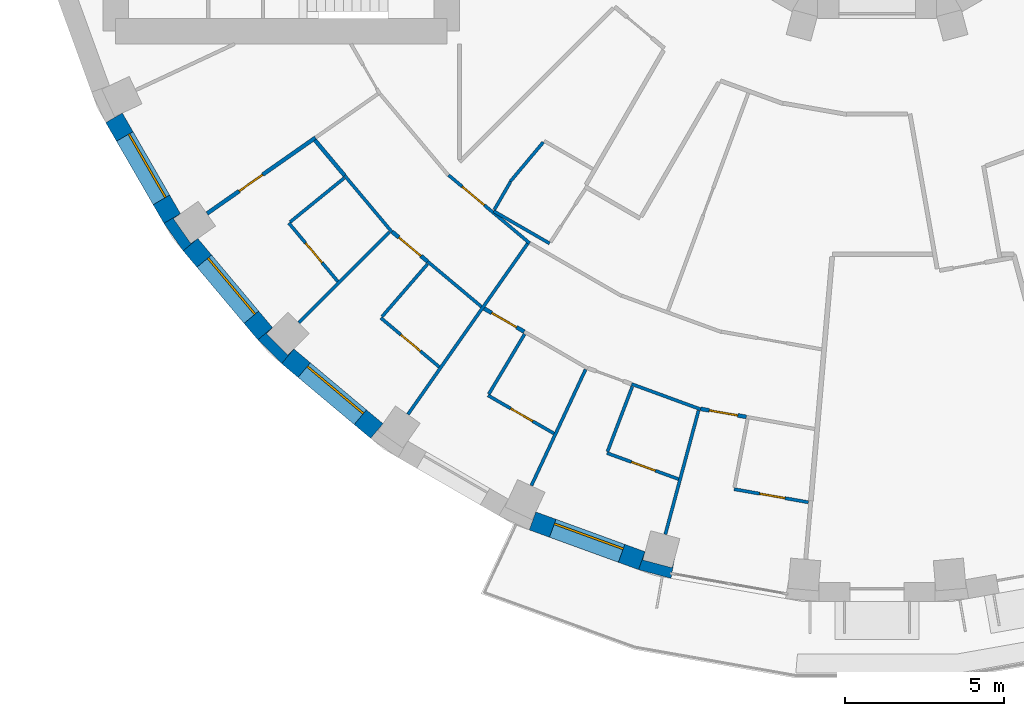
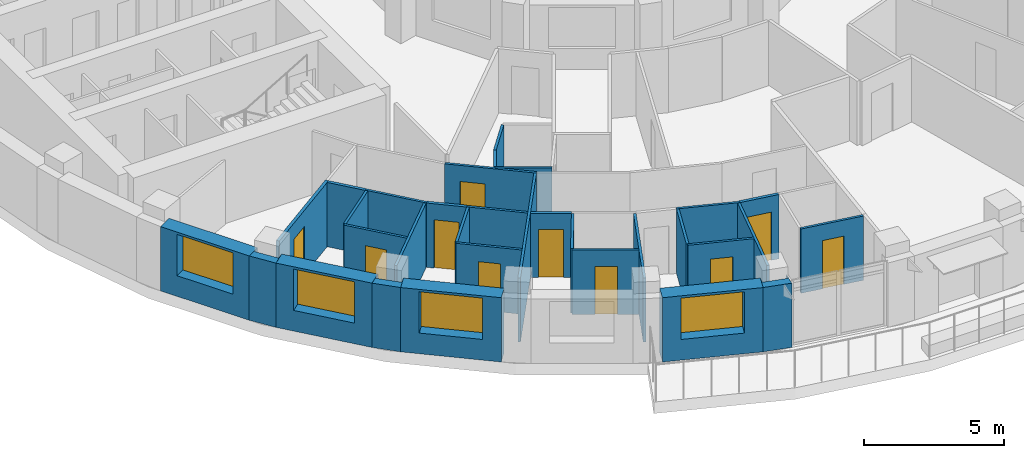
# One storey, part 5 of 16: 32 walls, 10 doors, 4 windows, 14 openings.
"""IFC4 building model written with IfcOpenShell, lengths in metres."""

import ifcopenshell
import ifcopenshell.guid

model = None  # the IFC model being written
_history = None  # IfcOwnerHistory: only IFC2X3 demands one
_inside = {}  # id of a spatial element -> (the spatial element, [elements in it])
_under = {}  # id of a project, library or spatial element -> (it, [spatial elements below it])
_declared = {}  # id of a project -> (the project, [libraries it declares])
_typed = {}  # id of a type object -> (the type object, [elements of that type])
_made_of = {}  # id of a material, layer set ... -> (it, [elements and type objects made of it])


def new_model(schema):
    """Start an empty IFC model of exactly this schema.

    Asked for "IFC4X3", IfcOpenShell would pick the latest addendum, in which some entities
    have other attributes; the version numbers below select the first issue.
    IFC2X3 requires an IfcOwnerHistory on every rooted entity: one is made here for all.
    """
    global model, _history
    if schema == "IFC4X3":
        model = ifcopenshell.file(schema_version=(4, 3, 0, 0))
    else:
        model = ifcopenshell.file(schema=schema)
    _inside.clear()
    _under.clear()
    _declared.clear()
    _typed.clear()
    _made_of.clear()
    _history = None
    if model.schema == "IFC2X3":
        org = make("IfcOrganization", Name="unknown")
        user = make(
            "IfcPersonAndOrganization",
            ThePerson=make("IfcPerson", FamilyName="unknown"),
            TheOrganization=org,
        )
        app = make(
            "IfcApplication",
            ApplicationDeveloper=org,
            Version="unknown",
            ApplicationFullName="unknown",
            ApplicationIdentifier="unknown",
        )
        _history = make(
            "IfcOwnerHistory",
            OwningUser=user,
            OwningApplication=app,
            ChangeAction="ADDED",
            CreationDate=0,
        )
    return model


def make(cls, **values):
    """One entity of the class cls with the attributes given. An attribute that is None is left unset."""
    return model.create_entity(
        cls, **{name: value for name, value in values.items() if value is not None}
    )


def rooted(cls, **values):
    """An entity with a GlobalId (a new one), such as an element, a storey or a relation."""
    return make(cls, GlobalId=ifcopenshell.guid.new(), OwnerHistory=_history, **values)


def si_unit(unit_type, name, prefix=None):
    """IfcSIUnit, for example si_unit("LENGTHUNIT", "METRE", prefix="MILLI")."""
    return make("IfcSIUnit", UnitType=unit_type, Prefix=prefix, Name=name)


def assignment(units):
    """IfcUnitAssignment: the units of a project."""
    return None if units is None else make("IfcUnitAssignment", Units=units)


def point(xyz):
    """IfcCartesianPoint."""
    return None if xyz is None else make("IfcCartesianPoint", Coordinates=xyz)


def direction(xyz):
    """IfcDirection."""
    return None if xyz is None else make("IfcDirection", DirectionRatios=xyz)


def frame(location, z_axis=None, x_axis=None):
    """IfcAxis2Placement3D, a coordinate frame: its origin and axes. An axis left out is left unset."""
    return make(
        "IfcAxis2Placement3D",
        Location=point(location),
        Axis=direction(z_axis),
        RefDirection=direction(x_axis),
    )


def frame_2d(location, x_axis=None):
    """IfcAxis2Placement2D, a coordinate frame in the plane: its origin and x axis."""
    return make(
        "IfcAxis2Placement2D", Location=point(location), RefDirection=direction(x_axis)
    )


def origin():
    """The frame at (0, 0, 0) with its axes left unset."""
    return frame((0.0, 0.0, 0.0))


def place(relative_to, where):
    """IfcLocalPlacement: puts the frame where relative to a parent placement (None: the world)."""
    return make(
        "IfcLocalPlacement", PlacementRelTo=relative_to, RelativePlacement=where
    )


def context(
    kind, dimensions, precision=None, world=None, true_north=None, identifier=None
):
    """IfcGeometricRepresentationContext, for example the 3D "Model" context."""
    return make(
        "IfcGeometricRepresentationContext",
        ContextIdentifier=identifier,
        ContextType=kind,
        CoordinateSpaceDimension=dimensions,
        Precision=precision,
        WorldCoordinateSystem=world,
        TrueNorth=true_north,
    )


def subcontext(parent, identifier, kind, view, scale=None):
    """IfcGeometricRepresentationSubContext, for example "Body" below "Model"."""
    return make(
        "IfcGeometricRepresentationSubContext",
        ContextIdentifier=identifier,
        ContextType=kind,
        ParentContext=parent,
        TargetScale=scale,
        TargetView=view,
    )


def project(units=None, contexts=None):
    """IfcProject with its units and contexts."""
    return rooted(
        "IfcProject",
        Name="project",
        RepresentationContexts=contexts,
        UnitsInContext=assignment(units),
    )


def spatial(cls, under=None, at=None, **own):
    """A site, building, storey or space (cls), placed at a placement, below another one or the project."""
    s = rooted(cls, ObjectPlacement=at, **own)
    if under is not None:
        _under.setdefault(under.id(), (under, []))[1].append(s)
    return s


def polyline(points):
    """IfcPolyline through the points."""
    return make("IfcPolyline", Points=[point(p) for p in points])


def profile(cls, at=None, kind="AREA", **sizes):
    """A parametric profile (cls). Its sizes go by their IFC names, for example OverallWidth=200.0."""
    return make(cls, ProfileType=kind, Position=at, **sizes)


def rectangle(**sizes):
    """IfcRectangleProfileDef."""
    return profile("IfcRectangleProfileDef", **sizes)


def outline(outer, holes=None, kind="AREA"):
    """IfcArbitraryClosedProfileDef: a profile drawn as a closed curve; with holes, ...WithVoids."""
    if holes is None:
        return make("IfcArbitraryClosedProfileDef", ProfileType=kind, OuterCurve=outer)
    return make(
        "IfcArbitraryProfileDefWithVoids",
        ProfileType=kind,
        OuterCurve=outer,
        InnerCurves=holes,
    )


def extrude(swept, where, along, depth):
    """IfcExtrudedAreaSolid: the profile swept, set in the frame where, extruded along a direction by depth."""
    return make(
        "IfcExtrudedAreaSolid",
        SweptArea=swept,
        Position=where,
        ExtrudedDirection=direction(along),
        Depth=depth,
    )


def shape(context_of_items, identifier, shape_type, items):
    """IfcShapeRepresentation: the items that make up one representation, for example the "Body"."""
    return make(
        "IfcShapeRepresentation",
        ContextOfItems=context_of_items,
        RepresentationIdentifier=identifier,
        RepresentationType=shape_type,
        Items=items,
    )


def material(Name=None, Category=None):
    """IfcMaterial."""
    return make("IfcMaterial", Name=Name, Category=Category)


def layer(
    of_material, thickness, ventilated=None, Name=None, Category=None, Priority=None
):
    """IfcMaterialLayer: one layer of a wall or slab, of a material (None: an air gap)."""
    return make(
        "IfcMaterialLayer",
        Material=of_material,
        LayerThickness=thickness,
        IsVentilated=ventilated,
        Name=Name,
        Category=Category,
        Priority=Priority,
    )


def layer_set(layers, Name=None):
    """IfcMaterialLayerSet."""
    return make("IfcMaterialLayerSet", MaterialLayers=layers, LayerSetName=Name)


def made_of(thing, what):
    """Note that an element or type object is made of a material, layer set ...; save() writes the relation."""
    if what is not None:
        _made_of.setdefault(what.id(), (what, []))[1].append(thing)
    return thing


def type_object(cls, material=None, **own):
    """A type object (cls), such as IfcWallType, which elements share."""
    return made_of(rooted(cls, **own), material)


def element(
    cls,
    number,
    at=None,
    inside=None,
    cuts=None,
    type_object=None,
    material=None,
    context=None,
    identifier="Body",
    shape_type=None,
    held_by="IfcProductDefinitionShape",
    body=None,
    shapes=None,
    **own,
):
    """One element of the class cls, such as IfcWall. Its Tag is "e" and its number.

    at: its placement. inside: the storey or other place that contains it. cuts: it is an
    opening in that element (IfcRelVoidsElement). A single representation is given by context,
    identifier, shape_type and body (its items); several are given by shapes. held_by: the class
    of the entity that holds the representations. save() writes the other relations.
    """
    e = rooted(cls, Tag="e%d" % number, ObjectPlacement=at, **own)
    if body is not None:
        shapes = [shape(context, identifier, shape_type, body)]
    if shapes is not None:
        e.Representation = make(held_by, Representations=shapes)
    if inside is not None:
        _inside.setdefault(inside.id(), (inside, []))[1].append(e)
    if cuts is not None:
        rooted(
            "IfcRelVoidsElement", RelatingBuildingElement=cuts, RelatedOpeningElement=e
        )
    if type_object is not None:
        _typed.setdefault(type_object.id(), (type_object, []))[1].append(e)
    return made_of(e, material)


def fill(opening, filler):
    """IfcRelFillsElement: the door or window that sits in an opening."""
    return rooted(
        "IfcRelFillsElement",
        RelatingOpeningElement=opening,
        RelatedBuildingElement=filler,
    )


def aggregate(whole, parts):
    """IfcRelAggregates: a whole, such as a stair, and the parts it consists of."""
    return rooted("IfcRelAggregates", RelatingObject=whole, RelatedObjects=parts)


def save(model, path):
    """Write the relations noted so far, then the file.

    IfcRelAggregates (storeys below a building ...), IfcRelContainedInSpatialStructure (elements
    in a storey), IfcRelDefinesByType, IfcRelAssociatesMaterial and IfcRelDeclares: one each for
    every whole, place, type object, material and project.
    """
    for whole, parts in _under.values():
        aggregate(whole, parts)
    for where, things in _inside.values():
        rooted(
            "IfcRelContainedInSpatialStructure",
            RelatedElements=things,
            RelatingStructure=where,
        )
    for kind, things in _typed.values():
        rooted("IfcRelDefinesByType", RelatedObjects=things, RelatingType=kind)
    for what, things in _made_of.values():
        rooted("IfcRelAssociatesMaterial", RelatedObjects=things, RelatingMaterial=what)
    for by, libraries in _declared.values():
        rooted("IfcRelDeclares", RelatingContext=by, RelatedDefinitions=libraries)
    model.write(path)


model = new_model("IFC4")

# Units and contexts
model_context = context("Model", 3, precision=1e-05, world=origin(), true_north=direction((0.0, 1.0)))
body_context = subcontext(model_context, "Body", "Model", "MODEL_VIEW")
ifc_project = project(units=[si_unit("LENGTHUNIT", "METRE"), si_unit("AREAUNIT", "SQUARE_METRE"), si_unit("VOLUMEUNIT", "CUBIC_METRE"), si_unit("PLANEANGLEUNIT", "RADIAN"), si_unit("MASSUNIT", "GRAM", prefix="KILO")], contexts=[model_context])

# Site, building, storey
site_placement = place(None, origin())
site = spatial("IfcSite", under=ifc_project, at=site_placement, CompositionType="ELEMENT")
building_placement = place(site_placement, origin())
building = spatial("IfcBuilding", under=site, at=building_placement, Name="Saqina Gate Tower", CompositionType="ELEMENT")
storey_placement = place(building_placement, frame((0.0, 0.0, 144.699951171875)))
storey = spatial("IfcBuildingStorey", under=building, at=storey_placement, Name="L41", CompositionType="ELEMENT", Elevation=144.699951171875)

# Walls
ifc_material_1 = material(Name="Brick masonry (buff)", Category="masonry")
wall_type_1 = type_object("IfcWallType", Name="BRICK PIER COPING BUFF", PredefinedType="SOLIDWALL", material=ifc_material_1)
wall_1_placement = place(storey_placement, origin())
element("IfcWall", 1, at=wall_1_placement, inside=storey, type_object=wall_type_1, Name="Pier cap L41 column 22", PredefinedType="SOLIDWALL", context=body_context, shape_type="SweptSolid", body=[
    extrude(outline(polyline([(-21.77685546875, -15.89208984375), (-21.317138671875, -15.50634765625), (-21.53759765625, -15.66064453125), (-22.08251953125, -14.88232421875), (-21.862060546875, -14.728271484375), (-22.3818359375, -15.0283203125), (-21.77685546875, -15.89208984375)])), origin(), (0.0, 0.0, 1.0), 2.800048828125),
])
wall_2_placement = place(storey_placement, origin())
element("IfcWall", 2, at=wall_2_placement, inside=storey, type_object=wall_type_1, Name="Pier cap L41 column 23", PredefinedType="SOLIDWALL", context=body_context, shape_type="SweptSolid", body=[
    extrude(outline(polyline([(-19.43212890625, -18.686279296875), (-18.686279296875, -19.43212890625), (-18.30078125, -18.972412109375), (-18.49072265625, -19.16259765625), (-19.16259765625, -18.49072265625), (-18.972412109375, -18.30078125), (-19.43212890625, -18.686279296875)])), origin(), (0.0, 0.0, 1.0), 2.800048828125),
])
wall_3_placement = place(storey_placement, origin())
element("IfcWall", 3, at=wall_3_placement, inside=storey, type_object=wall_type_1, Name="Pier cap L41 column 26", PredefinedType="SOLIDWALL", context=body_context, shape_type="SweptSolid", body=[
    extrude(outline(polyline([(-7.485595703125, -25.89892578125), (-6.466796875, -26.171875), (-6.36279296875, -25.5810546875), (-6.43212890625, -25.8408203125), (-7.349853515625, -25.5947265625), (-7.2802734375, -25.335205078125), (-7.485595703125, -25.89892578125)])), origin(), (0.0, 0.0, 1.0), 2.800048828125),
])

# Wall, opening, window
ifc_material_2 = material(Name="Brick masonry (buff)", Category="masonry")
ifc_layer_1 = layer(ifc_material_2, 0.60009765625)
ifc_layer_set_1 = layer_set([ifc_layer_1], Name="FW-BRICK-BUFF")
wall_type_2 = type_object("IfcWallType", Name="FW-BRICK-BUFF", PredefinedType="SOLIDWALL", material=ifc_layer_set_1)
wall_4_placement = place(storey_placement, frame((-23.94580078125, -11.718994140625, 0.0), z_axis=(0.0, 0.0, 1.0), x_axis=(0.499954196102, -0.866051847062, 0.0)))
wall_4 = element("IfcWall", 4, at=wall_4_placement, inside=storey, type_object=wall_type_2, Name="Facade wall L41 facet 21", PredefinedType="SOLIDWALL", context=body_context, shape_type="SweptSolid", body=[
    extrude(rectangle(XDim=3.647705078125, YDim=0.60009765625, at=frame_2d((1.82373046875, 0.0))), origin(), (0.0, 0.0, 1.0), 2.800048828125),
])
opening_1_placement = place(wall_4_placement, frame((0.673828125, 0.0, 0.89990234375)))
opening_1 = element("IfcOpeningElement", 5, at=opening_1_placement, cuts=wall_4, Name="Opening G12-W14", PredefinedType="OPENING", context=body_context, shape_type="SweptSolid", body=[
    extrude(rectangle(XDim=2.300048828125, YDim=1.800048828125, at=frame_2d((1.14990234375, 0.89990234375))), frame((0.0, 0.31201171875, 0.0), z_axis=(0.0, -1.0, 0.0), x_axis=(1.0, 0.0, 0.0)), (0.0, 0.0, 1.0), 0.6240234375),
])
ifc_material_3 = material(Name="Aluminium glazing", Category="aluminium")
window_type = type_object("IfcWindowType", Name="WN-B", PartitioningType="SINGLE_PANEL", PredefinedType="WINDOW", material=ifc_material_3)
window_1_placement = place(opening_1_placement, origin())
window_1 = element("IfcWindow", 6, at=window_1_placement, inside=storey, type_object=window_type, Name="Window L41 facet 21", OverallHeight=1.800048828125, OverallWidth=2.300048828125, PartitioningType="SINGLE_PANEL", PredefinedType="WINDOW", context=body_context, shape_type="SweptSolid", body=[
    extrude(rectangle(XDim=2.300048828125, YDim=1.800048828125, at=frame_2d((1.14990234375, 0.89990234375))), frame((0.0, 0.179931640625, 0.0), z_axis=(0.0, -1.0, 0.0), x_axis=(1.0, 0.0, 0.0)), (0.0, 0.0, 1.0), 0.06005859375),
])
fill(opening_1, window_1)

wall_5_placement = place(storey_placement, frame((-21.547119140625, -15.69921875, 0.0), z_axis=(0.0, 0.0, 1.0), x_axis=(0.642774476932, -0.766055462616, 0.0)))
wall_5 = element("IfcWall", 7, at=wall_5_placement, inside=storey, type_object=wall_type_2, Name="Facade wall L41 facet 22", PredefinedType="SOLIDWALL", context=body_context, shape_type="SweptSolid", body=[
    extrude(rectangle(XDim=3.647705078125, YDim=0.60009765625, at=frame_2d((1.82373046875, 0.0))), origin(), (0.0, 0.0, 1.0), 2.800048828125),
])
opening_2_placement = place(wall_5_placement, frame((0.673828125, 0.0, 0.89990234375)))
opening_2 = element("IfcOpeningElement", 8, at=opening_2_placement, cuts=wall_5, Name="Opening G12-W15", PredefinedType="OPENING", context=body_context, shape_type="SweptSolid", body=[
    extrude(rectangle(XDim=2.300048828125, YDim=1.800048828125, at=frame_2d((1.14990234375, 0.89990234375))), frame((0.0, 0.31201171875, 0.0), z_axis=(0.0, -1.0, 0.0), x_axis=(1.0, 0.0, 0.0)), (0.0, 0.0, 1.0), 0.6240234375),
])
window_2_placement = place(opening_2_placement, origin())
window_2 = element("IfcWindow", 9, at=window_2_placement, inside=storey, type_object=window_type, Name="Window L41 facet 22", OverallHeight=1.800048828125, OverallWidth=2.300048828125, PartitioningType="SINGLE_PANEL", PredefinedType="WINDOW", context=body_context, shape_type="SweptSolid", body=[
    extrude(rectangle(XDim=2.300048828125, YDim=1.800048828125, at=frame_2d((1.14990234375, 0.89990234375))), frame((0.0, 0.179931640625, 0.0), z_axis=(0.0, -1.0, 0.0), x_axis=(1.0, 0.0, 0.0)), (0.0, 0.0, 1.0), 0.06005859375),
])
fill(opening_2, window_2)

wall_6_placement = place(storey_placement, frame((-18.49365234375, -19.202392578125, 0.0), z_axis=(0.0, 0.0, 1.0), x_axis=(0.766055462616, -0.642774476932, 0.0)))
wall_6 = element("IfcWall", 10, at=wall_6_placement, inside=storey, type_object=wall_type_2, Name="Facade wall L41 facet 23", PredefinedType="SOLIDWALL", context=body_context, shape_type="SweptSolid", body=[
    extrude(rectangle(XDim=3.647705078125, YDim=0.60009765625, at=frame_2d((1.82373046875, 0.0))), origin(), (0.0, 0.0, 1.0), 2.800048828125),
])
opening_3_placement = place(wall_6_placement, frame((0.673828125, 0.0, 0.89990234375)))
opening_3 = element("IfcOpeningElement", 11, at=opening_3_placement, cuts=wall_6, Name="Opening G12-W16", PredefinedType="OPENING", context=body_context, shape_type="SweptSolid", body=[
    extrude(rectangle(XDim=2.300048828125, YDim=1.800048828125, at=frame_2d((1.14990234375, 0.89990234375))), frame((0.0, 0.31201171875, 0.0), z_axis=(0.0, -1.0, 0.0), x_axis=(1.0, 0.0, 0.0)), (0.0, 0.0, 1.0), 0.6240234375),
])
window_3_placement = place(opening_3_placement, origin())
window_3 = element("IfcWindow", 12, at=window_3_placement, inside=storey, type_object=window_type, Name="Window L41 facet 23", OverallHeight=1.800048828125, OverallWidth=2.300048828125, PartitioningType="SINGLE_PANEL", PredefinedType="WINDOW", context=body_context, shape_type="SweptSolid", body=[
    extrude(rectangle(XDim=2.300048828125, YDim=1.800048828125, at=frame_2d((1.14990234375, 0.89990234375))), frame((0.0, 0.179931640625, 0.0), z_axis=(0.0, -1.0, 0.0), x_axis=(1.0, 0.0, 0.0)), (0.0, 0.0, 1.0), 0.06005859375),
])
fill(opening_3, window_3)

wall_7_placement = place(storey_placement, frame((-10.810791015625, -24.369384765625, 0.0), z_axis=(0.0, 0.0, 1.0), x_axis=(0.939703505393, -0.341990236633, 0.0)))
wall_7 = element("IfcWall", 13, at=wall_7_placement, inside=storey, type_object=wall_type_2, Name="Facade wall L41 facet 25", PredefinedType="SOLIDWALL", context=body_context, shape_type="SweptSolid", body=[
    extrude(rectangle(XDim=3.64794921875, YDim=0.60009765625, at=frame_2d((1.823974609375, 0.0))), origin(), (0.0, 0.0, 1.0), 2.800048828125),
])
opening_4_placement = place(wall_7_placement, frame((0.673828125, 0.0, 0.89990234375)))
opening_4 = element("IfcOpeningElement", 14, at=opening_4_placement, cuts=wall_7, Name="Opening G12-W18", PredefinedType="OPENING", context=body_context, shape_type="SweptSolid", body=[
    extrude(rectangle(XDim=2.300048828125, YDim=1.800048828125, at=frame_2d((1.14990234375, 0.89990234375))), frame((0.0, 0.31201171875, 0.0), z_axis=(0.0, -1.0, 0.0), x_axis=(1.0, 0.0, 0.0)), (0.0, 0.0, 1.0), 0.6240234375),
])
window_4_placement = place(opening_4_placement, origin())
window_4 = element("IfcWindow", 15, at=window_4_placement, inside=storey, type_object=window_type, Name="Window L41 facet 25", OverallHeight=1.800048828125, OverallWidth=2.300048828125, PartitioningType="SINGLE_PANEL", PredefinedType="WINDOW", context=body_context, shape_type="SweptSolid", body=[
    extrude(rectangle(XDim=2.300048828125, YDim=1.800048828125, at=frame_2d((1.14990234375, 0.89990234375))), frame((0.0, 0.179931640625, 0.0), z_axis=(0.0, -1.0, 0.0), x_axis=(1.0, 0.0, 0.0)), (0.0, 0.0, 1.0), 0.06005859375),
])
fill(opening_4, window_4)

# Wall, opening, door
ifc_material_4 = material(Name="Gypsum board on steel studs, 100 mm", Category="steel")
ifc_layer_2 = layer(ifc_material_4, 0.10009765625)
ifc_layer_set_2 = layer_set([ifc_layer_2], Name="PARTITION 100")
wall_type_3 = type_object("IfcWallType", Name="PARTITION 100", PredefinedType="PARTITIONING", material=ifc_layer_set_2)
wall_8_placement = place(storey_placement, frame((-18.4599609375, -15.02197265625, 0.0), z_axis=(0.0, 0.0, 1.0), x_axis=(0.642942941421, -0.765914077477, 0.0)))
wall_8 = element("IfcWall", 16, at=wall_8_placement, inside=storey, type_object=wall_type_3, Name="PARTITION PW3-16", PredefinedType="PARTITIONING", context=body_context, shape_type="SweptSolid", body=[
    extrude(rectangle(XDim=2.390380859375, YDim=0.10009765625, at=frame_2d((1.1953125, 0.0))), origin(), (0.0, 0.0, 1.0), 2.800048828125),
])
opening_5_placement = place(wall_8_placement, frame((0.820068359375, 0.0, 0.0)))
opening_5 = element("IfcOpeningElement", 17, at=opening_5_placement, cuts=wall_8, Name="Opening G12-D34", PredefinedType="OPENING", context=body_context, shape_type="SweptSolid", body=[
    extrude(rectangle(XDim=0.800048828125, YDim=2.10009765625, at=frame_2d((0.39990234375, 1.050048828125))), frame((0.0, 0.06201171875, 0.0), z_axis=(0.0, -1.0, 0.0), x_axis=(1.0, 0.0, 0.0)), (0.0, 0.0, 1.0), 0.1240234375),
])
ifc_material_5 = material(Name="Timber door leaf, 800 mm", Category="wood")
door_type_1 = type_object("IfcDoorType", Name="DOOR 800 TIMBER", OperationType="SINGLE_SWING_LEFT", PredefinedType="DOOR", material=ifc_material_5)
door_1_placement = place(opening_5_placement, frame((0.800048828125, 0.0, 0.0), z_axis=(0.0, 0.0, 1.0), x_axis=(-1.0, 0.0, 0.0)))
door_1 = element("IfcDoor", 18, at=door_1_placement, inside=storey, type_object=door_type_1, Name="DOOR G12-D34", OperationType="SINGLE_SWING_LEFT", OverallHeight=2.10009765625, OverallWidth=0.800048828125, PredefinedType="DOOR", context=body_context, shape_type="SweptSolid", body=[
    extrude(rectangle(XDim=0.800048828125, YDim=2.10009765625, at=frame_2d((0.39990234375, 1.050048828125))), frame((0.0, 0.02490234375, 0.0), z_axis=(0.0, -1.0, 0.0), x_axis=(1.0, 0.0, 0.0)), (0.0, 0.0, 1.0), 0.050048828125),
])
fill(opening_5, door_1)

# Wall
wall_9_placement = place(storey_placement, frame((-16.708251953125, -13.53173828125, 0.0), z_axis=(0.0, 0.0, 1.0), x_axis=(0.642750453819, -0.766075619058, 0.0)))
element("IfcWall", 19, at=wall_9_placement, inside=storey, type_object=wall_type_3, Name="PARTITION PW3-17", PredefinedType="PARTITIONING", context=body_context, shape_type="SweptSolid", body=[
    extrude(rectangle(XDim=2.308349609375, YDim=0.10009765625, at=frame_2d((1.154296875, 0.0))), origin(), (0.0, 0.0, 1.0), 2.800048828125),
])

# Wall, opening, door
wall_10_placement = place(storey_placement, frame((-15.571044921875, -17.9990234375, 0.0), z_axis=(0.0, 0.0, 1.0), x_axis=(0.765914077477, -0.642942941421, 0.0)))
wall_10 = element("IfcWall", 20, at=wall_10_placement, inside=storey, type_object=wall_type_3, Name="PARTITION PW3-26", PredefinedType="PARTITIONING", context=body_context, shape_type="SweptSolid", body=[
    extrude(rectangle(XDim=2.390380859375, YDim=0.10009765625, at=frame_2d((1.1953125, 0.0))), origin(), (0.0, 0.0, 1.0), 2.800048828125),
])
opening_6_placement = place(wall_10_placement, frame((0.820068359375, 0.0, 0.0)))
opening_6 = element("IfcOpeningElement", 21, at=opening_6_placement, cuts=wall_10, Name="Opening G12-D38", PredefinedType="OPENING", context=body_context, shape_type="SweptSolid", body=[
    extrude(rectangle(XDim=0.800048828125, YDim=2.10009765625, at=frame_2d((0.39990234375, 1.050048828125))), frame((0.0, 0.06201171875, 0.0), z_axis=(0.0, -1.0, 0.0), x_axis=(1.0, 0.0, 0.0)), (0.0, 0.0, 1.0), 0.1240234375),
])
door_2_placement = place(opening_6_placement, frame((0.800048828125, 0.0, 0.0), z_axis=(0.0, 0.0, 1.0), x_axis=(-1.0, 0.0, 0.0)))
door_2 = element("IfcDoor", 22, at=door_2_placement, inside=storey, type_object=door_type_1, Name="DOOR G12-D38", OperationType="SINGLE_SWING_LEFT", OverallHeight=2.10009765625, OverallWidth=0.800048828125, PredefinedType="DOOR", context=body_context, shape_type="SweptSolid", body=[
    extrude(rectangle(XDim=0.800048828125, YDim=2.10009765625, at=frame_2d((0.39990234375, 1.050048828125))), frame((0.0, 0.02490234375, 0.0), z_axis=(0.0, -1.0, 0.0), x_axis=(1.0, 0.0, 0.0)), (0.0, 0.0, 1.0), 0.050048828125),
])
fill(opening_6, door_2)

# Wall
wall_11_placement = place(storey_placement, frame((-14.1044921875, -16.22802734375, 0.0), z_axis=(0.0, 0.0, 1.0), x_axis=(0.766093039246, -0.642729690631, 0.0)))
element("IfcWall", 23, at=wall_11_placement, inside=storey, type_object=wall_type_3, Name="PARTITION PW3-27", PredefinedType="PARTITIONING", context=body_context, shape_type="SweptSolid", body=[
    extrude(rectangle(XDim=2.20458984375, YDim=0.10009765625, at=frame_2d((1.102294921875, 0.0))), origin(), (0.0, 0.0, 1.0), 2.800048828125),
])

# Wall, opening, door
wall_12_placement = place(storey_placement, frame((-13.44677734375, -13.51708984375, 0.0), z_axis=(0.0, 0.0, 1.0), x_axis=(0.765959402554, -0.642888943472, 0.0)))
wall_12 = element("IfcWall", 24, at=wall_12_placement, inside=storey, type_object=wall_type_3, Name="PARTITION PW3-28", PredefinedType="PARTITIONING", context=body_context, shape_type="SweptSolid", body=[
    extrude(rectangle(XDim=3.32470703125, YDim=0.10009765625, at=frame_2d((1.662353515625, 0.0))), origin(), (0.0, 0.0, 1.0), 2.800048828125),
])
opening_7_placement = place(wall_12_placement, frame((0.56201171875, 0.0, 0.0)))
opening_7 = element("IfcOpeningElement", 25, at=opening_7_placement, cuts=wall_12, Name="Opening G12-D36", PredefinedType="OPENING", context=body_context, shape_type="SweptSolid", body=[
    extrude(rectangle(XDim=0.89990234375, YDim=2.10009765625, at=frame_2d((0.449951171875, 1.050048828125))), frame((0.0, 0.06201171875, 0.0), z_axis=(0.0, -1.0, 0.0), x_axis=(1.0, 0.0, 0.0)), (0.0, 0.0, 1.0), 0.1240234375),
])
ifc_material_6 = material(Name="Timber door leaf, 900 mm", Category="wood")
door_type_2 = type_object("IfcDoorType", Name="DOOR 900 TIMBER", OperationType="SINGLE_SWING_LEFT", PredefinedType="DOOR", material=ifc_material_6)
door_3_placement = place(opening_7_placement, origin())
door_3 = element("IfcDoor", 26, at=door_3_placement, inside=storey, type_object=door_type_2, Name="DOOR G12-D36", OperationType="SINGLE_SWING_RIGHT", OverallHeight=2.10009765625, OverallWidth=0.89990234375, PredefinedType="DOOR", context=body_context, shape_type="SweptSolid", body=[
    extrude(rectangle(XDim=0.89990234375, YDim=2.10009765625, at=frame_2d((0.449951171875, 1.050048828125))), frame((0.0, 0.02490234375, 0.0), z_axis=(0.0, -1.0, 0.0), x_axis=(1.0, 0.0, 0.0)), (0.0, 0.0, 1.0), 0.050048828125),
])
fill(opening_7, door_3)

wall_13_placement = place(storey_placement, frame((-12.208984375, -20.429931640625, 0.0), z_axis=(0.0, 0.0, 1.0), x_axis=(0.865989934965, -0.500061428766, 0.0)))
wall_13 = element("IfcWall", 27, at=wall_13_placement, inside=storey, type_object=wall_type_3, Name="PARTITION PW3-37", PredefinedType="PARTITIONING", context=body_context, shape_type="SweptSolid", body=[
    extrude(rectangle(XDim=2.389892578125, YDim=0.10009765625, at=frame_2d((1.19482421875, 0.0))), origin(), (0.0, 0.0, 1.0), 2.800048828125),
])
opening_8_placement = place(wall_13_placement, frame((0.820068359375, 0.0, 0.0)))
opening_8 = element("IfcOpeningElement", 28, at=opening_8_placement, cuts=wall_13, Name="Opening G12-D41", PredefinedType="OPENING", context=body_context, shape_type="SweptSolid", body=[
    extrude(rectangle(XDim=0.800048828125, YDim=2.10009765625, at=frame_2d((0.39990234375, 1.050048828125))), frame((0.0, 0.06201171875, 0.0), z_axis=(0.0, -1.0, 0.0), x_axis=(1.0, 0.0, 0.0)), (0.0, 0.0, 1.0), 0.1240234375),
])
door_4_placement = place(opening_8_placement, frame((0.800048828125, 0.0, 0.0), z_axis=(0.0, 0.0, 1.0), x_axis=(-1.0, 0.0, 0.0)))
door_4 = element("IfcDoor", 29, at=door_4_placement, inside=storey, type_object=door_type_1, Name="DOOR G12-D41", OperationType="SINGLE_SWING_LEFT", OverallHeight=2.10009765625, OverallWidth=0.800048828125, PredefinedType="DOOR", context=body_context, shape_type="SweptSolid", body=[
    extrude(rectangle(XDim=0.800048828125, YDim=2.10009765625, at=frame_2d((0.39990234375, 1.050048828125))), frame((0.0, 0.02490234375, 0.0), z_axis=(0.0, -1.0, 0.0), x_axis=(1.0, 0.0, 0.0)), (0.0, 0.0, 1.0), 0.050048828125),
])
fill(opening_8, door_4)

# Walls
wall_14_placement = place(storey_placement, frame((-12.031982421875, -14.646728515625, 0.0), z_axis=(0.0, 0.0, 1.0), x_axis=(0.866085299251, -0.499896243657, 0.0)))
element("IfcWall", 30, at=wall_14_placement, inside=storey, type_object=wall_type_3, Name="PARTITION PW3-39", PredefinedType="PARTITIONING", context=body_context, shape_type="SweptSolid", body=[
    extrude(rectangle(XDim=2.02685546875, YDim=0.10009765625, at=frame_2d((1.013427734375, 0.0))), origin(), (0.0, 0.0, 1.0), 2.800048828125),
])
wall_15_placement = place(storey_placement, frame((-7.703857421875, -20.07275390625, 0.0), z_axis=(0.0, 0.0, 1.0), x_axis=(0.939002837997, -0.343909392476, 0.0)))
element("IfcWall", 31, at=wall_15_placement, inside=storey, type_object=wall_type_3, Name="PARTITION PW3-47", PredefinedType="PARTITIONING", context=body_context, shape_type="SweptSolid", body=[
    extrude(rectangle(XDim=2.306396484375, YDim=0.10009765625, at=frame_2d((1.1533203125, 0.0))), origin(), (0.0, 0.0, 1.0), 2.800048828125),
])

# Wall, opening, door
wall_16_placement = place(storey_placement, frame((-8.47607421875, -22.239013671875, 0.0), z_axis=(0.0, 0.0, 1.0), x_axis=(0.939644231496, -0.342153062556, 0.0)))
wall_16 = element("IfcWall", 32, at=wall_16_placement, inside=storey, type_object=wall_type_3, Name="PARTITION PW3-48", PredefinedType="PARTITIONING", context=body_context, shape_type="SweptSolid", body=[
    extrude(rectangle(XDim=2.390380859375, YDim=0.10009765625, at=frame_2d((1.1953125, 0.0))), origin(), (0.0, 0.0, 1.0), 2.800048828125),
])
opening_9_placement = place(wall_16_placement, frame((0.8203125, 0.0, 0.0)))
opening_9 = element("IfcOpeningElement", 33, at=opening_9_placement, cuts=wall_16, Name="Opening G12-D44", PredefinedType="OPENING", context=body_context, shape_type="SweptSolid", body=[
    extrude(rectangle(XDim=0.800048828125, YDim=2.10009765625, at=frame_2d((0.39990234375, 1.050048828125))), frame((0.0, 0.06201171875, 0.0), z_axis=(0.0, -1.0, 0.0), x_axis=(1.0, 0.0, 0.0)), (0.0, 0.0, 1.0), 0.1240234375),
])
door_5_placement = place(opening_9_placement, frame((0.800048828125, 0.0, 0.0), z_axis=(0.0, 0.0, 1.0), x_axis=(-1.0, 0.0, 0.0)))
door_5 = element("IfcDoor", 34, at=door_5_placement, inside=storey, type_object=door_type_1, Name="DOOR G12-D44", OperationType="SINGLE_SWING_LEFT", OverallHeight=2.10009765625, OverallWidth=0.800048828125, PredefinedType="DOOR", context=body_context, shape_type="SweptSolid", body=[
    extrude(rectangle(XDim=0.800048828125, YDim=2.10009765625, at=frame_2d((0.39990234375, 1.050048828125))), frame((0.0, 0.02490234375, 0.0), z_axis=(0.0, -1.0, 0.0), x_axis=(1.0, 0.0, 0.0)), (0.0, 0.0, 1.0), 0.050048828125),
])
fill(opening_9, door_5)

wall_17_placement = place(storey_placement, frame((-4.486083984375, -23.373046875, 0.0), z_axis=(0.0, 0.0, 1.0), x_axis=(0.984805365509, -0.173661717325, 0.0)))
wall_17 = element("IfcWall", 35, at=wall_17_placement, inside=storey, type_object=wall_type_3, Name="PARTITION PW3-53", PredefinedType="PARTITIONING", context=body_context, shape_type="SweptSolid", body=[
    extrude(rectangle(XDim=2.365966796875, YDim=0.10009765625, at=frame_2d((1.18310546875, 0.0))), origin(), (0.0, 0.0, 1.0), 2.800048828125),
])
opening_10_placement = place(wall_17_placement, frame((0.820556640625, 0.0, 0.0)))
opening_10 = element("IfcOpeningElement", 36, at=opening_10_placement, cuts=wall_17, Name="Opening G12-D47", PredefinedType="OPENING", context=body_context, shape_type="SweptSolid", body=[
    extrude(rectangle(XDim=0.800048828125, YDim=2.10009765625, at=frame_2d((0.39990234375, 1.050048828125))), frame((0.0, 0.06201171875, 0.0), z_axis=(0.0, -1.0, 0.0), x_axis=(1.0, 0.0, 0.0)), (0.0, 0.0, 1.0), 0.1240234375),
])
door_6_placement = place(opening_10_placement, frame((0.800048828125, 0.0, 0.0), z_axis=(0.0, 0.0, 1.0), x_axis=(-1.0, 0.0, 0.0)))
door_6 = element("IfcDoor", 37, at=door_6_placement, inside=storey, type_object=door_type_1, Name="DOOR G12-D47", OperationType="SINGLE_SWING_LEFT", OverallHeight=2.10009765625, OverallWidth=0.800048828125, PredefinedType="DOOR", context=body_context, shape_type="SweptSolid", body=[
    extrude(rectangle(XDim=0.800048828125, YDim=2.10009765625, at=frame_2d((0.39990234375, 1.050048828125))), frame((0.0, 0.02490234375, 0.0), z_axis=(0.0, -1.0, 0.0), x_axis=(1.0, 0.0, 0.0)), (0.0, 0.0, 1.0), 0.050048828125),
])
fill(opening_10, door_6)

# Walls
wall_18_placement = place(storey_placement, frame((-18.421142578125, -14.990478515625, 0.0), z_axis=(0.0, 0.0, 1.0), x_axis=(0.77556073315, 0.631272959342, 0.0)))
element("IfcWall", 38, at=wall_18_placement, inside=storey, type_object=wall_type_3, Name="PARTITION PW3-79", PredefinedType="PARTITIONING", context=body_context, shape_type="SweptSolid", body=[
    extrude(rectangle(XDim=2.187744140625, YDim=0.10009765625, at=frame_2d((1.09375, 0.0))), origin(), (0.0, 0.0, 1.0), 2.800048828125),
])
wall_19_placement = place(storey_placement, frame((-18.14794921875, -18.14794921875, 0.0), z_axis=(0.0, 0.0, 1.0), x_axis=(0.707106781187, 0.707106781187, 0.0)))
element("IfcWall", 39, at=wall_19_placement, inside=storey, type_object=wall_type_3, Name="PARTITION PW3-87", PredefinedType="PARTITIONING", context=body_context, shape_type="SweptSolid", body=[
    extrude(rectangle(XDim=4.02294921875, YDim=0.10009765625, at=frame_2d((2.011474609375, 0.0))), origin(), (0.0, 0.0, 1.0), 2.800048828125),
])
wall_20_placement = place(storey_placement, frame((-15.538330078125, -17.961181640625, 0.0), z_axis=(0.0, 0.0, 1.0), x_axis=(0.654433202149, 0.756119821143, 0.0)))
element("IfcWall", 40, at=wall_20_placement, inside=storey, type_object=wall_type_3, Name="PARTITION PW3-89", PredefinedType="PARTITIONING", context=body_context, shape_type="SweptSolid", body=[
    extrude(rectangle(XDim=2.187255859375, YDim=0.10009765625, at=frame_2d((1.09375, 0.0))), origin(), (0.0, 0.0, 1.0), 2.800048828125),
])
wall_21_placement = place(storey_placement, frame((-11.508544921875, -13.71484375, 0.0), z_axis=(0.0, 0.0, 1.0), x_axis=(0.643138636987, 0.765749759134, 0.0)))
element("IfcWall", 41, at=wall_21_placement, inside=storey, type_object=wall_type_3, Name="PARTITION PW3-92", PredefinedType="PARTITIONING", context=body_context, shape_type="SweptSolid", body=[
    extrude(rectangle(XDim=1.60693359375, YDim=0.10009765625, at=frame_2d((0.803466796875, 0.0))), origin(), (0.0, 0.0, 1.0), 2.800048828125),
])
wall_22_placement = place(storey_placement, frame((-14.721435546875, -21.02294921875, 0.0), z_axis=(0.0, 0.0, 1.0), x_axis=(0.573845384598, 0.818963658886, 0.0)))
element("IfcWall", 42, at=wall_22_placement, inside=storey, type_object=wall_type_3, Name="PARTITION PW3-97", PredefinedType="PARTITIONING", context=body_context, shape_type="SweptSolid", body=[
    extrude(rectangle(XDim=6.543701171875, YDim=0.10009765625, at=frame_2d((3.27197265625, 0.0))), origin(), (0.0, 0.0, 1.0), 2.800048828125),
])
wall_23_placement = place(storey_placement, frame((-12.183349609375, -20.386962890625, 0.0), z_axis=(0.0, 0.0, 1.0), x_axis=(0.512903306279, 0.85844638645, 0.0)))
element("IfcWall", 43, at=wall_23_placement, inside=storey, type_object=wall_type_3, Name="PARTITION PW3-100", PredefinedType="PARTITIONING", context=body_context, shape_type="SweptSolid", body=[
    extrude(rectangle(XDim=2.188232421875, YDim=0.10009765625, at=frame_2d((1.09423828125, 0.0))), origin(), (0.0, 0.0, 1.0), 2.800048828125),
])
wall_24_placement = place(storey_placement, frame((-12.009033203125, -14.599853515625, 0.0), z_axis=(0.0, 0.0, 1.0), x_axis=(0.499729383125, 0.866181588145, 0.0)))
element("IfcWall", 44, at=wall_24_placement, inside=storey, type_object=wall_type_3, Name="PARTITION PW3-102", PredefinedType="PARTITIONING", context=body_context, shape_type="SweptSolid", body=[
    extrude(rectangle(XDim=1.0166015625, YDim=0.10009765625, at=frame_2d((0.50830078125, 0.0))), origin(), (0.0, 0.0, 1.0), 2.800048828125),
])
wall_25_placement = place(storey_placement, frame((-10.84765625, -23.260009765625, 0.0), z_axis=(0.0, 0.0, 1.0), x_axis=(0.422895432818, 0.906178488434, 0.0)))
element("IfcWall", 45, at=wall_25_placement, inside=storey, type_object=wall_type_3, Name="PARTITION PW3-106", PredefinedType="PARTITIONING", context=body_context, shape_type="SweptSolid", body=[
    extrude(rectangle(XDim=4.022705078125, YDim=0.10009765625, at=frame_2d((2.01123046875, 0.0))), origin(), (0.0, 0.0, 1.0), 2.800048828125),
])
wall_26_placement = place(storey_placement, frame((-8.458251953125, -22.1923828125, 0.0), z_axis=(0.0, 0.0, 1.0), x_axis=(0.35615776917, 0.934425836255, 0.0)))
element("IfcWall", 46, at=wall_26_placement, inside=storey, type_object=wall_type_3, Name="PARTITION PW3-108", PredefinedType="PARTITIONING", context=body_context, shape_type="SweptSolid", body=[
    extrude(rectangle(XDim=2.1875, YDim=0.10009765625, at=frame_2d((1.09375, 0.0))), origin(), (0.0, 0.0, 1.0), 2.800048828125),
])
wall_27_placement = place(storey_placement, frame((-6.64404296875, -24.7900390625, 0.0), z_axis=(0.0, 0.0, 1.0), x_axis=(0.259176889868, 0.965829871022, 0.0)))
element("IfcWall", 47, at=wall_27_placement, inside=storey, type_object=wall_type_3, Name="PARTITION PW3-112", PredefinedType="PARTITIONING", context=body_context, shape_type="SweptSolid", body=[
    extrude(rectangle(XDim=4.023193359375, YDim=0.10009765625, at=frame_2d((2.01171875, 0.0))), origin(), (0.0, 0.0, 1.0), 2.800048828125),
])
ifc_material_7 = material(Name="Gypsum board on steel studs, 125 mm, fire rated", Category="steel")
ifc_layer_3 = layer(ifc_material_7, 0.125)
ifc_layer_set_3 = layer_set([ifc_layer_3], Name="PARTITION EI 30 125")
wall_type_4 = type_object("IfcWallType", Name="PARTITION EI 30 125", PredefinedType="PARTITIONING", material=ifc_layer_set_3)
wall_28_placement = place(storey_placement, frame((-17.642333984375, -12.418212890625, 0.0), z_axis=(0.0, 0.0, 1.0), x_axis=(0.642675879231, -0.76613818222, 0.0)))
element("IfcWall", 48, at=wall_28_placement, inside=storey, type_object=wall_type_4, Name="PARTITION PW1-04", PredefinedType="PARTITIONING", context=body_context, shape_type="SweptSolid", body=[
    extrude(rectangle(XDim=1.453369140625, YDim=0.125, at=frame_2d((0.7265625, 0.0))), origin(), (0.0, 0.0, 1.0), 2.800048828125),
])

# Wall, opening, door
wall_29_placement = place(storey_placement, frame((-15.21875, -15.292724609375, 0.0), z_axis=(0.0, 0.0, 1.0), x_axis=(0.766084916972, -0.642739371742, 0.0)))
wall_29 = element("IfcWall", 49, at=wall_29_placement, inside=storey, type_object=wall_type_4, Name="PARTITION PW1-11", PredefinedType="PARTITIONING", context=body_context, shape_type="SweptSolid", body=[
    extrude(rectangle(XDim=1.454833984375, YDim=0.125, at=frame_2d((0.7275390625, 0.0))), origin(), (0.0, 0.0, 1.0), 2.800048828125),
])
opening_11_placement = place(wall_29_placement, frame((0.277587890625, 0.0, 0.0)))
opening_11 = element("IfcOpeningElement", 50, at=opening_11_placement, cuts=wall_29, Name="Opening G12-D35", PredefinedType="OPENING", context=body_context, shape_type="SweptSolid", body=[
    extrude(rectangle(XDim=0.89990234375, YDim=2.10009765625, at=frame_2d((0.449951171875, 1.050048828125))), frame((0.0, 0.074462890625, 0.0), z_axis=(0.0, -1.0, 0.0), x_axis=(1.0, 0.0, 0.0)), (0.0, 0.0, 1.0), 0.14892578125),
])
ifc_material_8 = material(Name="Fire door leaf EI 30, 900 mm")
door_type_3 = type_object("IfcDoorType", Name="DOOR 900 EI 30", OperationType="SINGLE_SWING_LEFT", PredefinedType="DOOR", material=ifc_material_8)
door_7_placement = place(opening_11_placement, origin())
door_7 = element("IfcDoor", 51, at=door_7_placement, inside=storey, type_object=door_type_3, Name="DOOR G12-D35", OperationType="SINGLE_SWING_LEFT", OverallHeight=2.10009765625, OverallWidth=0.89990234375, PredefinedType="DOOR", context=body_context, shape_type="SweptSolid", body=[
    extrude(rectangle(XDim=0.89990234375, YDim=2.10009765625, at=frame_2d((0.449951171875, 1.050048828125))), frame((0.0, 0.02490234375, 0.0), z_axis=(0.0, -1.0, 0.0), x_axis=(1.0, 0.0, 0.0)), (0.0, 0.0, 1.0), 0.050048828125),
])
fill(opening_11, door_7)

wall_30_placement = place(storey_placement, frame((-12.333740234375, -17.701904296875, 0.0), z_axis=(0.0, 0.0, 1.0), x_axis=(0.866110229381, -0.499853048967, 0.0)))
wall_30 = element("IfcWall", 52, at=wall_30_placement, inside=storey, type_object=wall_type_4, Name="PARTITION PW1-17", PredefinedType="PARTITIONING", context=body_context, shape_type="SweptSolid", body=[
    extrude(rectangle(XDim=1.45654296875, YDim=0.125, at=frame_2d((0.728271484375, 0.0))), origin(), (0.0, 0.0, 1.0), 2.800048828125),
])
opening_12_placement = place(wall_30_placement, frame((0.2783203125, 0.0, 0.0)))
opening_12 = element("IfcOpeningElement", 53, at=opening_12_placement, cuts=wall_30, Name="Opening G12-D40", PredefinedType="OPENING", context=body_context, shape_type="SweptSolid", body=[
    extrude(rectangle(XDim=0.89990234375, YDim=2.10009765625, at=frame_2d((0.449951171875, 1.050048828125))), frame((0.0, 0.074462890625, 0.0), z_axis=(0.0, -1.0, 0.0), x_axis=(1.0, 0.0, 0.0)), (0.0, 0.0, 1.0), 0.14892578125),
])
door_8_placement = place(opening_12_placement, origin())
door_8 = element("IfcDoor", 54, at=door_8_placement, inside=storey, type_object=door_type_3, Name="DOOR G12-D40", OperationType="SINGLE_SWING_LEFT", OverallHeight=2.10009765625, OverallWidth=0.89990234375, PredefinedType="DOOR", context=body_context, shape_type="SweptSolid", body=[
    extrude(rectangle(XDim=0.89990234375, YDim=2.10009765625, at=frame_2d((0.449951171875, 1.050048828125))), frame((0.0, 0.02490234375, 0.0), z_axis=(0.0, -1.0, 0.0), x_axis=(1.0, 0.0, 0.0)), (0.0, 0.0, 1.0), 0.050048828125),
])
fill(opening_12, door_8)

wall_31_placement = place(storey_placement, frame((-5.53564453125, -20.852783203125, 0.0), z_axis=(0.0, 0.0, 1.0), x_axis=(0.984862774054, -0.173335848233, 0.0)))
wall_31 = element("IfcWall", 55, at=wall_31_placement, inside=storey, type_object=wall_type_4, Name="PARTITION PW1-24", PredefinedType="PARTITIONING", context=body_context, shape_type="SweptSolid", body=[
    extrude(rectangle(XDim=1.456298828125, YDim=0.125, at=frame_2d((0.72802734375, 0.0))), origin(), (0.0, 0.0, 1.0), 2.800048828125),
])
opening_13_placement = place(wall_31_placement, frame((0.2783203125, 0.0, 0.0)))
opening_13 = element("IfcOpeningElement", 56, at=opening_13_placement, cuts=wall_31, Name="Opening G12-D45", PredefinedType="OPENING", context=body_context, shape_type="SweptSolid", body=[
    extrude(rectangle(XDim=0.89990234375, YDim=2.10009765625, at=frame_2d((0.449951171875, 1.050048828125))), frame((0.0, 0.074462890625, 0.0), z_axis=(0.0, -1.0, 0.0), x_axis=(1.0, 0.0, 0.0)), (0.0, 0.0, 1.0), 0.14892578125),
])
door_9_placement = place(opening_13_placement, origin())
door_9 = element("IfcDoor", 57, at=door_9_placement, inside=storey, type_object=door_type_3, Name="DOOR G12-D45", OperationType="SINGLE_SWING_LEFT", OverallHeight=2.10009765625, OverallWidth=0.89990234375, PredefinedType="DOOR", context=body_context, shape_type="SweptSolid", body=[
    extrude(rectangle(XDim=0.89990234375, YDim=2.10009765625, at=frame_2d((0.449951171875, 1.050048828125))), frame((0.0, 0.02490234375, 0.0), z_axis=(0.0, -1.0, 0.0), x_axis=(1.0, 0.0, 0.0)), (0.0, 0.0, 1.0), 0.050048828125),
])
fill(opening_13, door_9)

wall_32_placement = place(storey_placement, frame((-21.023681640625, -14.720458984375, 0.0), z_axis=(0.0, 0.0, 1.0), x_axis=(0.819381203096, 0.573249024433, 0.0)))
wall_32 = element("IfcWall", 58, at=wall_32_placement, inside=storey, type_object=wall_type_4, Name="PARTITION PW1-42", PredefinedType="PARTITIONING", context=body_context, shape_type="SweptSolid", body=[
    extrude(rectangle(XDim=4.148193359375, YDim=0.125, at=frame_2d((2.07421875, 0.0))), origin(), (0.0, 0.0, 1.0), 2.800048828125),
])
opening_14_placement = place(wall_32_placement, frame((1.2255859375, 0.0, 0.0)))
opening_14 = element("IfcOpeningElement", 59, at=opening_14_placement, cuts=wall_32, Name="Opening G12-D33", PredefinedType="OPENING", context=body_context, shape_type="SweptSolid", body=[
    extrude(rectangle(XDim=0.89990234375, YDim=2.10009765625, at=frame_2d((0.449951171875, 1.050048828125))), frame((0.0, 0.074462890625, 0.0), z_axis=(0.0, -1.0, 0.0), x_axis=(1.0, 0.0, 0.0)), (0.0, 0.0, 1.0), 0.14892578125),
])
door_10_placement = place(opening_14_placement, origin())
door_10 = element("IfcDoor", 60, at=door_10_placement, inside=storey, type_object=door_type_3, Name="DOOR G12-D33", OperationType="SINGLE_SWING_LEFT", OverallHeight=2.10009765625, OverallWidth=0.89990234375, PredefinedType="DOOR", context=body_context, shape_type="SweptSolid", body=[
    extrude(rectangle(XDim=0.89990234375, YDim=2.10009765625, at=frame_2d((0.449951171875, 1.050048828125))), frame((0.0, 0.02490234375, 0.0), z_axis=(0.0, -1.0, 0.0), x_axis=(1.0, 0.0, 0.0)), (0.0, 0.0, 1.0), 0.050048828125),
])
fill(opening_14, door_10)

save(model, "model.ifc")
